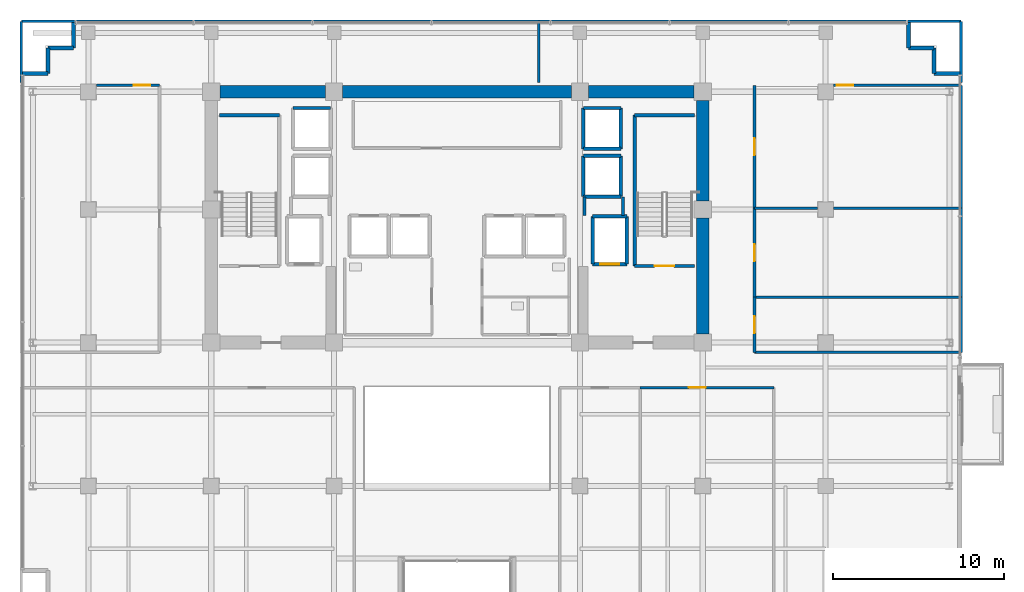
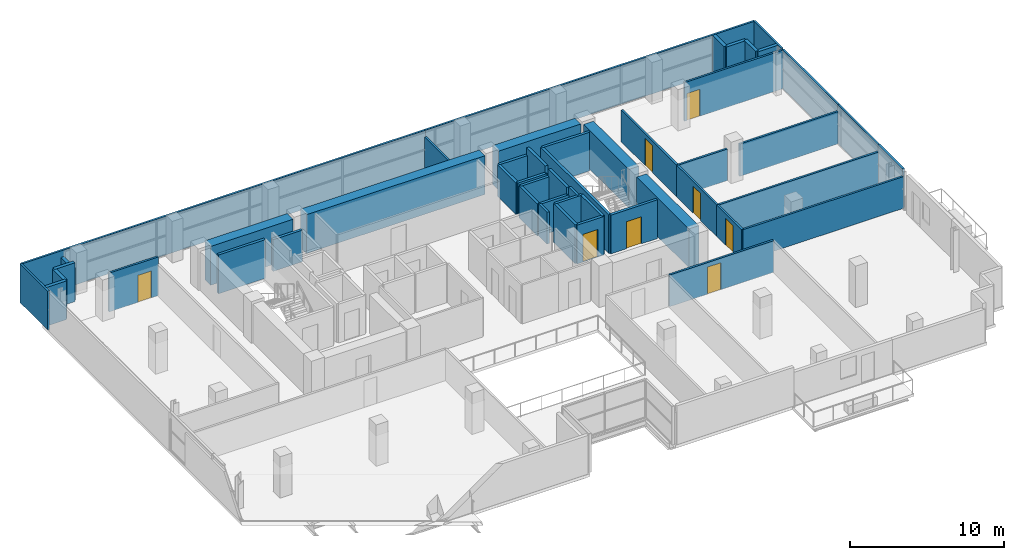
# One storey, part 19 of 25: 50 walls, 8 doors, 8 openings.
"""IFC4 building model written with IfcOpenShell, lengths in metres."""

import ifcopenshell
import ifcopenshell.guid

model = None  # the IFC model being written
_history = None  # IfcOwnerHistory: only IFC2X3 demands one
_inside = {}  # id of a spatial element -> (the spatial element, [elements in it])
_under = {}  # id of a project, library or spatial element -> (it, [spatial elements below it])
_declared = {}  # id of a project -> (the project, [libraries it declares])
_typed = {}  # id of a type object -> (the type object, [elements of that type])
_made_of = {}  # id of a material, layer set ... -> (it, [elements and type objects made of it])


def new_model(schema):
    """Start an empty IFC model of exactly this schema.

    Asked for "IFC4X3", IfcOpenShell would pick the latest addendum, in which some entities
    have other attributes; the version numbers below select the first issue.
    IFC2X3 requires an IfcOwnerHistory on every rooted entity: one is made here for all.
    """
    global model, _history
    if schema == "IFC4X3":
        model = ifcopenshell.file(schema_version=(4, 3, 0, 0))
    else:
        model = ifcopenshell.file(schema=schema)
    _inside.clear()
    _under.clear()
    _declared.clear()
    _typed.clear()
    _made_of.clear()
    _history = None
    if model.schema == "IFC2X3":
        org = make("IfcOrganization", Name="unknown")
        user = make(
            "IfcPersonAndOrganization",
            ThePerson=make("IfcPerson", FamilyName="unknown"),
            TheOrganization=org,
        )
        app = make(
            "IfcApplication",
            ApplicationDeveloper=org,
            Version="unknown",
            ApplicationFullName="unknown",
            ApplicationIdentifier="unknown",
        )
        _history = make(
            "IfcOwnerHistory",
            OwningUser=user,
            OwningApplication=app,
            ChangeAction="ADDED",
            CreationDate=0,
        )
    return model


def make(cls, **values):
    """One entity of the class cls with the attributes given. An attribute that is None is left unset."""
    return model.create_entity(
        cls, **{name: value for name, value in values.items() if value is not None}
    )


def rooted(cls, **values):
    """An entity with a GlobalId (a new one), such as an element, a storey or a relation."""
    return make(cls, GlobalId=ifcopenshell.guid.new(), OwnerHistory=_history, **values)


def si_unit(unit_type, name, prefix=None):
    """IfcSIUnit, for example si_unit("LENGTHUNIT", "METRE", prefix="MILLI")."""
    return make("IfcSIUnit", UnitType=unit_type, Prefix=prefix, Name=name)


def assignment(units):
    """IfcUnitAssignment: the units of a project."""
    return None if units is None else make("IfcUnitAssignment", Units=units)


def point(xyz):
    """IfcCartesianPoint."""
    return None if xyz is None else make("IfcCartesianPoint", Coordinates=xyz)


def direction(xyz):
    """IfcDirection."""
    return None if xyz is None else make("IfcDirection", DirectionRatios=xyz)


def frame(location, z_axis=None, x_axis=None):
    """IfcAxis2Placement3D, a coordinate frame: its origin and axes. An axis left out is left unset."""
    return make(
        "IfcAxis2Placement3D",
        Location=point(location),
        Axis=direction(z_axis),
        RefDirection=direction(x_axis),
    )


def frame_2d(location, x_axis=None):
    """IfcAxis2Placement2D, a coordinate frame in the plane: its origin and x axis."""
    return make(
        "IfcAxis2Placement2D", Location=point(location), RefDirection=direction(x_axis)
    )


def origin():
    """The frame at (0, 0, 0) with its axes left unset."""
    return frame((0.0, 0.0, 0.0))


def place(relative_to, where):
    """IfcLocalPlacement: puts the frame where relative to a parent placement (None: the world)."""
    return make(
        "IfcLocalPlacement", PlacementRelTo=relative_to, RelativePlacement=where
    )


def context(
    kind, dimensions, precision=None, world=None, true_north=None, identifier=None
):
    """IfcGeometricRepresentationContext, for example the 3D "Model" context."""
    return make(
        "IfcGeometricRepresentationContext",
        ContextIdentifier=identifier,
        ContextType=kind,
        CoordinateSpaceDimension=dimensions,
        Precision=precision,
        WorldCoordinateSystem=world,
        TrueNorth=true_north,
    )


def subcontext(parent, identifier, kind, view, scale=None):
    """IfcGeometricRepresentationSubContext, for example "Body" below "Model"."""
    return make(
        "IfcGeometricRepresentationSubContext",
        ContextIdentifier=identifier,
        ContextType=kind,
        ParentContext=parent,
        TargetScale=scale,
        TargetView=view,
    )


def project(units=None, contexts=None):
    """IfcProject with its units and contexts."""
    return rooted(
        "IfcProject",
        Name="project",
        RepresentationContexts=contexts,
        UnitsInContext=assignment(units),
    )


def spatial(cls, under=None, at=None, **own):
    """A site, building, storey or space (cls), placed at a placement, below another one or the project."""
    s = rooted(cls, ObjectPlacement=at, **own)
    if under is not None:
        _under.setdefault(under.id(), (under, []))[1].append(s)
    return s


def profile(cls, at=None, kind="AREA", **sizes):
    """A parametric profile (cls). Its sizes go by their IFC names, for example OverallWidth=200.0."""
    return make(cls, ProfileType=kind, Position=at, **sizes)


def rectangle(**sizes):
    """IfcRectangleProfileDef."""
    return profile("IfcRectangleProfileDef", **sizes)


def extrude(swept, where, along, depth):
    """IfcExtrudedAreaSolid: the profile swept, set in the frame where, extruded along a direction by depth."""
    return make(
        "IfcExtrudedAreaSolid",
        SweptArea=swept,
        Position=where,
        ExtrudedDirection=direction(along),
        Depth=depth,
    )


def shape(context_of_items, identifier, shape_type, items):
    """IfcShapeRepresentation: the items that make up one representation, for example the "Body"."""
    return make(
        "IfcShapeRepresentation",
        ContextOfItems=context_of_items,
        RepresentationIdentifier=identifier,
        RepresentationType=shape_type,
        Items=items,
    )


def source(mapping_origin, context_of_items, identifier, shape_type, items):
    """IfcRepresentationMap: a shape defined once, which mapped items show again and again."""
    return make(
        "IfcRepresentationMap",
        MappingOrigin=mapping_origin,
        MappedRepresentation=shape(context_of_items, identifier, shape_type, items),
    )


def transform(
    local_origin,
    x_axis=None,
    y_axis=None,
    z_axis=None,
    scale=None,
    scale2=None,
    scale3=None,
    uniform=True,
):
    """IfcCartesianTransformationOperator3D, or its non-uniform kind. x_axis, y_axis, z_axis: its Axis1, 2, 3."""
    if uniform:
        return make(
            "IfcCartesianTransformationOperator3D",
            Axis1=direction(x_axis),
            Axis2=direction(y_axis),
            LocalOrigin=point(local_origin),
            Scale=scale,
            Axis3=direction(z_axis),
        )
    return make(
        "IfcCartesianTransformationOperator3DnonUniform",
        Axis1=direction(x_axis),
        Axis2=direction(y_axis),
        LocalOrigin=point(local_origin),
        Scale=scale,
        Axis3=direction(z_axis),
        Scale2=scale2,
        Scale3=scale3,
    )


def mapped(mapping_source, mapping_target):
    """IfcMappedItem: shows the shape of a source again, moved by a transform."""
    return make(
        "IfcMappedItem", MappingSource=mapping_source, MappingTarget=mapping_target
    )


def material(Name=None, Category=None):
    """IfcMaterial."""
    return make("IfcMaterial", Name=Name, Category=Category)


def layer(
    of_material, thickness, ventilated=None, Name=None, Category=None, Priority=None
):
    """IfcMaterialLayer: one layer of a wall or slab, of a material (None: an air gap)."""
    return make(
        "IfcMaterialLayer",
        Material=of_material,
        LayerThickness=thickness,
        IsVentilated=ventilated,
        Name=Name,
        Category=Category,
        Priority=Priority,
    )


def layer_set(layers, Name=None):
    """IfcMaterialLayerSet."""
    return make("IfcMaterialLayerSet", MaterialLayers=layers, LayerSetName=Name)


def made_of(thing, what):
    """Note that an element or type object is made of a material, layer set ...; save() writes the relation."""
    if what is not None:
        _made_of.setdefault(what.id(), (what, []))[1].append(thing)
    return thing


def type_object(cls, material=None, **own):
    """A type object (cls), such as IfcWallType, which elements share."""
    return made_of(rooted(cls, **own), material)


def element(
    cls,
    number,
    at=None,
    inside=None,
    cuts=None,
    type_object=None,
    material=None,
    context=None,
    identifier="Body",
    shape_type=None,
    held_by="IfcProductDefinitionShape",
    body=None,
    shapes=None,
    **own,
):
    """One element of the class cls, such as IfcWall. Its Tag is "e" and its number.

    at: its placement. inside: the storey or other place that contains it. cuts: it is an
    opening in that element (IfcRelVoidsElement). A single representation is given by context,
    identifier, shape_type and body (its items); several are given by shapes. held_by: the class
    of the entity that holds the representations. save() writes the other relations.
    """
    e = rooted(cls, Tag="e%d" % number, ObjectPlacement=at, **own)
    if body is not None:
        shapes = [shape(context, identifier, shape_type, body)]
    if shapes is not None:
        e.Representation = make(held_by, Representations=shapes)
    if inside is not None:
        _inside.setdefault(inside.id(), (inside, []))[1].append(e)
    if cuts is not None:
        rooted(
            "IfcRelVoidsElement", RelatingBuildingElement=cuts, RelatedOpeningElement=e
        )
    if type_object is not None:
        _typed.setdefault(type_object.id(), (type_object, []))[1].append(e)
    return made_of(e, material)


def fill(opening, filler):
    """IfcRelFillsElement: the door or window that sits in an opening."""
    return rooted(
        "IfcRelFillsElement",
        RelatingOpeningElement=opening,
        RelatedBuildingElement=filler,
    )


def aggregate(whole, parts):
    """IfcRelAggregates: a whole, such as a stair, and the parts it consists of."""
    return rooted("IfcRelAggregates", RelatingObject=whole, RelatedObjects=parts)


def save(model, path):
    """Write the relations noted so far, then the file.

    IfcRelAggregates (storeys below a building ...), IfcRelContainedInSpatialStructure (elements
    in a storey), IfcRelDefinesByType, IfcRelAssociatesMaterial and IfcRelDeclares: one each for
    every whole, place, type object, material and project.
    """
    for whole, parts in _under.values():
        aggregate(whole, parts)
    for where, things in _inside.values():
        rooted(
            "IfcRelContainedInSpatialStructure",
            RelatedElements=things,
            RelatingStructure=where,
        )
    for kind, things in _typed.values():
        rooted("IfcRelDefinesByType", RelatedObjects=things, RelatingType=kind)
    for what, things in _made_of.values():
        rooted("IfcRelAssociatesMaterial", RelatedObjects=things, RelatingMaterial=what)
    for by, libraries in _declared.values():
        rooted("IfcRelDeclares", RelatingContext=by, RelatedDefinitions=libraries)
    model.write(path)


model = new_model("IFC4")

# Units and contexts
model_context = context("Model", 3, precision=1e-05, world=origin(), true_north=direction((0.0, 1.0)))
body_context = subcontext(model_context, "Body", "Model", "MODEL_VIEW")
ifc_project = project(units=[si_unit("LENGTHUNIT", "METRE"), si_unit("AREAUNIT", "SQUARE_METRE"), si_unit("VOLUMEUNIT", "CUBIC_METRE"), si_unit("PLANEANGLEUNIT", "RADIAN"), si_unit("MASSUNIT", "GRAM", prefix="KILO")], contexts=[model_context])

# Site, building, storey
site_placement = place(None, origin())
site = spatial("IfcSite", under=ifc_project, at=site_placement, CompositionType="ELEMENT")
building_placement = place(site_placement, origin())
building = spatial("IfcBuilding", under=site, at=building_placement, Name="Zarnakvel Exchange Tower", CompositionType="ELEMENT")
storey_placement = place(building_placement, frame((0.0, 0.0, 126.39990234375)))
storey = spatial("IfcBuildingStorey", under=building, at=storey_placement, Name="L35", CompositionType="ELEMENT", Elevation=126.39990234375)

# Walls
ifc_material_1 = material(Name="Concrete C60/75", Category="concrete")
ifc_layer_1 = layer(ifc_material_1, 0.75)
ifc_layer_set_1 = layer_set([ifc_layer_1], Name="Concrete C60/75")
wall_type_1 = type_object("IfcWallType", Name="CW-C3", PredefinedType="SHEAR", material=ifc_layer_set_1)
wall_1_placement = place(storey_placement, frame((-13.89990234375, 13.5, 0.0), z_axis=(0.0, 0.0, 1.0), x_axis=(1.0, 0.0, 0.0)))
element("IfcWall", 1, at=wall_1_placement, inside=storey, type_object=wall_type_1, Name="L35 Rear Core Shear Wall N1 (CW-C3)", PredefinedType="SHEAR", context=body_context, shape_type="SweptSolid", body=[
    extrude(rectangle(XDim=6.199951171875, YDim=0.75, at=frame_2d((3.10009765625, 0.0))), origin(), (0.0, 0.0, 1.0), 3.0751953125),
])
wall_2_placement = place(storey_placement, frame((-6.699951171875, 13.5, 0.0), z_axis=(0.0, 0.0, 1.0), x_axis=(1.0, 0.0, 0.0)))
element("IfcWall", 2, at=wall_2_placement, inside=storey, type_object=wall_type_1, Name="L35 Rear Core Shear Wall N2 (CW-C3)", PredefinedType="SHEAR", context=body_context, shape_type="SweptSolid", body=[
    extrude(rectangle(XDim=13.39990234375, YDim=0.75, at=frame_2d((6.699951171875, 0.0))), origin(), (0.0, 0.0, 1.0), 3.0751953125),
])
wall_3_placement = place(storey_placement, frame((7.699951171875, 13.5, 0.0), z_axis=(0.0, 0.0, 1.0), x_axis=(1.0, 0.0, 0.0)))
element("IfcWall", 3, at=wall_3_placement, inside=storey, type_object=wall_type_1, Name="L35 Rear Core Shear Wall N3 (CW-C3)", PredefinedType="SHEAR", context=body_context, shape_type="SweptSolid", body=[
    extrude(rectangle(XDim=6.199951171875, YDim=0.75, at=frame_2d((3.10009765625, 0.0))), origin(), (0.0, 0.0, 1.0), 3.0751953125),
])
wall_4_placement = place(storey_placement, frame((14.39990234375, -0.699951171875, 0.0), z_axis=(0.0, 0.0, 1.0), x_axis=(0.0, 1.0, 0.0)))
element("IfcWall", 4, at=wall_4_placement, inside=storey, type_object=wall_type_1, Name="L35 Rear Core Shear Wall E1 (CW-C3)", PredefinedType="SHEAR", context=body_context, shape_type="SweptSolid", body=[
    extrude(rectangle(XDim=6.800048828125, YDim=0.75, at=frame_2d((3.39990234375, 0.0))), origin(), (0.0, 0.0, 1.0), 3.0751953125),
])
wall_5_placement = place(storey_placement, frame((14.39990234375, 7.10009765625, 0.0), z_axis=(0.0, 0.0, 1.0), x_axis=(0.0, 1.0, 0.0)))
element("IfcWall", 5, at=wall_5_placement, inside=storey, type_object=wall_type_1, Name="L35 Rear Core Shear Wall E2 (CW-C3)", PredefinedType="SHEAR", context=body_context, shape_type="SweptSolid", body=[
    extrude(rectangle(XDim=5.89990234375, YDim=0.75, at=frame_2d((2.949951171875, 0.0))), origin(), (0.0, 0.0, 1.0), 3.0751953125),
])
ifc_material_2 = material(Name="Precast concrete C40/50", Category="concrete")
ifc_layer_2 = layer(ifc_material_2, 0.239990234375)
ifc_layer_set_2 = layer_set([ifc_layer_2], Name="Precast concrete C40/50")
wall_type_2 = type_object("IfcWallType", Name="EW-02", PredefinedType="SOLIDWALL", material=ifc_layer_set_2)
for number, where, z_axis, x_axis, name in (
    (6, (-23.9599609375, 14.56005859375, 0.0), (0.0, 0.0, 1.0), (-1.0, 0.0, 0.0), "L35 Exterior Precast Spandrel Wall EWC-L35-01 (EW-02)"),
    (7, (-23.9599609375, 16.06005859375, 0.0), (0.0, 0.0, 1.0), (0.0, -1.0, 0.0), "L35 Exterior Precast Spandrel Wall EWC-L35-02 (EW-02)"),
    (8, (-22.4599609375, 16.06005859375, 0.0), (0.0, 0.0, 1.0), (-1.0, 0.0, 0.0), "L35 Exterior Precast Spandrel Wall EWC-L35-03 (EW-02)"),
):
    element("IfcWall", number, at=place(storey_placement, frame(where, z_axis=z_axis, x_axis=x_axis)), inside=storey, type_object=wall_type_2, Name=name, PredefinedType="SOLIDWALL", context=body_context, shape_type="SweptSolid", body=[
        extrude(rectangle(XDim=1.5, YDim=0.239990234375, at=frame_2d((0.75, 0.0))), origin(), (0.0, 0.0, 1.0), 3.0751953125),
    ])
wall_6_placement = place(storey_placement, frame((-22.4599609375, 17.56005859375, 0.0), z_axis=(0.0, 0.0, 1.0), x_axis=(0.0, -1.0, 0.0)))
element("IfcWall", 9, at=wall_6_placement, inside=storey, type_object=wall_type_2, Name="L35 Exterior Precast Spandrel Wall EWC-L35-04 (EW-02)", PredefinedType="SOLIDWALL", context=body_context, shape_type="SweptSolid", body=[
    extrude(rectangle(XDim=1.5, YDim=0.239990234375, at=frame_2d((0.75, 0.0))), origin(), (0.0, 0.0, 1.0), 2.565185546875),
])
for number, where, z_axis, x_axis, name in (
    (10, (26.4599609375, 16.06005859375, 0.0), (0.0, 0.0, 1.0), (0.0, 1.0, 0.0), "L35 Exterior Precast Spandrel Wall EWC-L35-05 (EW-02)"),
    (11, (27.9599609375, 16.06005859375, 0.0), (0.0, 0.0, 1.0), (-1.0, 0.0, 0.0), "L35 Exterior Precast Spandrel Wall EWC-L35-06 (EW-02)"),
    (12, (27.9599609375, 14.56005859375, 0.0), (0.0, 0.0, 1.0), (0.0, 1.0, 0.0), "L35 Exterior Precast Spandrel Wall EWC-L35-07 (EW-02)"),
    (13, (29.4599609375, 14.56005859375, 0.0), (0.0, 0.0, 1.0), (-1.0, 0.0, 0.0), "L35 Exterior Precast Spandrel Wall EWC-L35-08 (EW-02)"),
):
    element("IfcWall", number, at=place(storey_placement, frame(where, z_axis=z_axis, x_axis=x_axis)), inside=storey, type_object=wall_type_2, Name=name, PredefinedType="SOLIDWALL", context=body_context, shape_type="SweptSolid", body=[
        extrude(rectangle(XDim=1.5, YDim=0.239990234375, at=frame_2d((0.75, 0.0))), origin(), (0.0, 0.0, 1.0), 3.0751953125),
    ])

# Wall, opening, door
ifc_material_3 = material(Name="Fire-Rated Gypsum Stud Partition", Category="gypsum")
ifc_layer_3 = layer(ifc_material_3, 0.14990234375)
ifc_layer_set_3 = layer_set([ifc_layer_3], Name="Fire-Rated Gypsum Stud Partition")
wall_type_3 = type_object("IfcWallType", Name="PT-01", PredefinedType="PARTITIONING", material=ifc_layer_set_3)
wall_7_placement = place(storey_placement, frame((10.72900390625, -3.830078125, 0.0), z_axis=(0.0, 0.0, 1.0), x_axis=(1.0, 0.0, 0.0)))
wall_7 = element("IfcWall", 14, at=wall_7_placement, inside=storey, type_object=wall_type_3, Name="L35 Partition Wall PWALL-L35-034 (PT-01)", PredefinedType="PARTITIONING", context=body_context, shape_type="SweptSolid", body=[
    extrude(rectangle(XDim=7.8369140625, YDim=0.14990234375, at=frame_2d((3.91845703125, 0.0))), origin(), (0.0, 0.0, 1.0), 2.51513671875),
])
opening_1_placement = place(wall_7_placement, frame((2.86083984375, 0.0, 0.0)))
opening_1 = element("IfcOpeningElement", 15, at=opening_1_placement, cuts=wall_7, Name="Opening D-L35-12", PredefinedType="OPENING", context=body_context, shape_type="SweptSolid", body=[
    extrude(rectangle(XDim=0.97998046875, YDim=2.14990234375, at=frame_2d((0.489990234375, 1.074951171875))), frame((0.0, 0.0849609375, 0.0), z_axis=(0.0, -1.0, 0.0), x_axis=(1.0, 0.0, 0.0)), (0.0, 0.0, 1.0), 0.169921875),
])
ifc_material_4 = material(Name="Timber Acoustic Veneer", Category="wood")
door_type_1 = type_object("IfcDoorType", Name="DT-05", OperationType="NOTDEFINED", PredefinedType="DOOR", material=ifc_material_4)
shared_shape_1 = source(origin(), body_context, "Body", "SweptSolid", [
    extrude(rectangle(XDim=0.97998046875, YDim=2.14990234375, at=frame_2d((0.489990234375, 1.074951171875))), frame((0.0, 0.02490234375, 0.0), z_axis=(0.0, -1.0, 0.0), x_axis=(1.0, 0.0, 0.0)), (0.0, 0.0, 1.0), 0.050048828125),
])
door_1_placement = place(opening_1_placement, origin())
door_1 = element("IfcDoor", 16, at=door_1_placement, inside=storey, type_object=door_type_1, Name="L35 Executive Office Door D-L35-12", OperationType="SINGLE_SWING_RIGHT", OverallHeight=2.14990234375, OverallWidth=0.97998046875, PredefinedType="DOOR", context=body_context, shape_type="MappedRepresentation", body=[
    mapped(shared_shape_1, transform((0.0, 0.0, 0.0), x_axis=(1.0, 0.0, 0.0), y_axis=(0.0, 1.0, 0.0), z_axis=(0.0, 0.0, 1.0), scale=1.0)),
])
fill(opening_1, door_1)

wall_8_placement = place(storey_placement, frame((-21.1298828125, 13.8798828125, 0.0), z_axis=(0.0, 0.0, 1.0), x_axis=(1.0, 0.0, 0.0)))
wall_8 = element("IfcWall", 17, at=wall_8_placement, inside=storey, type_object=wall_type_3, Name="L35 Partition Wall PWALL-L35-037 (PT-01)", PredefinedType="PARTITIONING", context=body_context, shape_type="SweptSolid", body=[
    extrude(rectangle(XDim=3.699951171875, YDim=0.14990234375, at=frame_2d((1.85009765625, 0.0))), origin(), (0.0, 0.0, 1.0), 3.0751953125),
])
opening_2_placement = place(wall_8_placement, frame((2.18994140625, 0.0, 0.0)))
opening_2 = element("IfcOpeningElement", 18, at=opening_2_placement, cuts=wall_8, Name="Opening D-L35-17", PredefinedType="OPENING", context=body_context, shape_type="SweptSolid", body=[
    extrude(rectangle(XDim=0.97998046875, YDim=2.14990234375, at=frame_2d((0.489990234375, 1.074951171875))), frame((0.0, 0.0849609375, 0.0), z_axis=(0.0, -1.0, 0.0), x_axis=(1.0, 0.0, 0.0)), (0.0, 0.0, 1.0), 0.169921875),
])
door_2_placement = place(opening_2_placement, origin())
door_2 = element("IfcDoor", 19, at=door_2_placement, inside=storey, type_object=door_type_1, Name="L35 Risk Analytics Suite Door D-L35-17", OperationType="SINGLE_SWING_LEFT", OverallHeight=2.14990234375, OverallWidth=0.97998046875, PredefinedType="DOOR", context=body_context, shape_type="MappedRepresentation", body=[
    mapped(shared_shape_1, transform((0.0, 0.0, 0.0), x_axis=(1.0, 0.0, 0.0), y_axis=(0.0, 1.0, 0.0), z_axis=(0.0, 0.0, 1.0), scale=1.0)),
])
fill(opening_2, door_2)

# Walls
for number, where, z_axis, x_axis, name in (
    (20, (29.530029296875, -1.77001953125, 0.0), (0.0, 0.0, 1.0), (-1.0, 0.0, 0.0), "L35 Partition Wall PWALL-L35-040 (PT-01)"),
    (21, (17.429931640625, 1.460205078125, 0.0), (0.0, 0.0, 1.0), (1.0, 0.0, 0.0), "L35 Partition Wall PWALL-L35-041 (PT-01)"),
):
    element("IfcWall", number, at=place(storey_placement, frame(where, z_axis=z_axis, x_axis=x_axis)), inside=storey, type_object=wall_type_3, Name=name, PredefinedType="PARTITIONING", context=body_context, shape_type="SweptSolid", body=[
        extrude(rectangle(XDim=12.10009765625, YDim=0.14990234375, at=frame_2d((6.050048828125, 0.0))), origin(), (0.0, 0.0, 1.0), 2.51513671875),
    ])

# Wall, opening, door
wall_9_placement = place(storey_placement, frame((17.429931640625, -1.77001953125, 0.0), z_axis=(0.0, 0.0, 1.0), x_axis=(0.0, 1.0, 0.0)))
wall_9 = element("IfcWall", 22, at=wall_9_placement, inside=storey, type_object=wall_type_3, Name="L35 Partition Wall PWALL-L35-042 (PT-01)", PredefinedType="PARTITIONING", context=body_context, shape_type="SweptSolid", body=[
    extrude(rectangle(XDim=3.230224609375, YDim=0.14990234375, at=frame_2d((1.615234375, 0.0))), origin(), (0.0, 0.0, 1.0), 2.51513671875),
])
opening_3_placement = place(wall_9_placement, frame((1.125, 0.0, 0.0)))
opening_3 = element("IfcOpeningElement", 23, at=opening_3_placement, cuts=wall_9, Name="Opening D-L35-14", PredefinedType="OPENING", context=body_context, shape_type="SweptSolid", body=[
    extrude(rectangle(XDim=0.97998046875, YDim=2.14990234375, at=frame_2d((0.489990234375, 1.074951171875))), frame((0.0, 0.0849609375, 0.0), z_axis=(0.0, -1.0, 0.0), x_axis=(1.0, 0.0, 0.0)), (0.0, 0.0, 1.0), 0.169921875),
])
door_3_placement = place(opening_3_placement, origin())
door_3 = element("IfcDoor", 24, at=door_3_placement, inside=storey, type_object=door_type_1, Name="L35 Staff Pantry Door D-L35-14", OperationType="SINGLE_SWING_RIGHT", OverallHeight=2.14990234375, OverallWidth=0.97998046875, PredefinedType="DOOR", context=body_context, shape_type="MappedRepresentation", body=[
    mapped(shared_shape_1, transform((0.0, 0.0, 0.0), x_axis=(1.0, 0.0, 0.0), y_axis=(0.0, 1.0, 0.0), z_axis=(0.0, 0.0, 1.0), scale=1.0)),
])
fill(opening_3, door_3)

# Walls
wall_10_placement = place(storey_placement, frame((29.530029296875, 1.460205078125, 0.0), z_axis=(0.0, 0.0, 1.0), x_axis=(0.0, -1.0, 0.0)))
element("IfcWall", 25, at=wall_10_placement, inside=storey, type_object=wall_type_3, Name="L35 Partition Wall PWALL-L35-043 (PT-01)", PredefinedType="PARTITIONING", context=body_context, shape_type="SweptSolid", body=[
    extrude(rectangle(XDim=3.230224609375, YDim=0.14990234375, at=frame_2d((1.615234375, 0.0))), origin(), (0.0, 0.0, 1.0), 3.0751953125),
])
wall_11_placement = place(storey_placement, frame((22.070068359375, 6.6767578125, 0.0), z_axis=(0.0, 0.0, 1.0), x_axis=(1.0, 0.0, 0.0)))
element("IfcWall", 26, at=wall_11_placement, inside=storey, type_object=wall_type_3, Name="L35 Partition Wall PWALL-L35-044 (PT-01)", PredefinedType="PARTITIONING", context=body_context, shape_type="SweptSolid", body=[
    extrude(rectangle(XDim=7.4599609375, YDim=0.14990234375, at=frame_2d((3.72998046875, 0.0))), origin(), (0.0, 0.0, 1.0), 2.565185546875),
])

# Wall, opening, door
wall_12_placement = place(storey_placement, frame((17.429931640625, 1.460205078125, 0.0), z_axis=(0.0, 0.0, 1.0), x_axis=(0.0, 1.0, 0.0)))
wall_12 = element("IfcWall", 27, at=wall_12_placement, inside=storey, type_object=wall_type_3, Name="L35 Partition Wall PWALL-L35-045 (PT-01)", PredefinedType="PARTITIONING", context=body_context, shape_type="SweptSolid", body=[
    extrude(rectangle(XDim=5.216552734375, YDim=0.14990234375, at=frame_2d((2.6083984375, 0.0))), origin(), (0.0, 0.0, 1.0), 2.51513671875),
])
opening_4_placement = place(wall_12_placement, frame((2.117919921875, 0.0, 0.0)))
opening_4 = element("IfcOpeningElement", 28, at=opening_4_placement, cuts=wall_12, Name="Opening D-L35-15", PredefinedType="OPENING", context=body_context, shape_type="SweptSolid", body=[
    extrude(rectangle(XDim=0.97998046875, YDim=2.14990234375, at=frame_2d((0.489990234375, 1.074951171875))), frame((0.0, 0.0849609375, 0.0), z_axis=(0.0, -1.0, 0.0), x_axis=(1.0, 0.0, 0.0)), (0.0, 0.0, 1.0), 0.169921875),
])
door_4_placement = place(opening_4_placement, origin())
door_4 = element("IfcDoor", 29, at=door_4_placement, inside=storey, type_object=door_type_1, Name="L35 Risk Analytics Suite Door D-L35-15", OperationType="SINGLE_SWING_LEFT", OverallHeight=2.14990234375, OverallWidth=0.97998046875, PredefinedType="DOOR", context=body_context, shape_type="MappedRepresentation", body=[
    mapped(shared_shape_1, transform((0.0, 0.0, 0.0), x_axis=(1.0, 0.0, 0.0), y_axis=(0.0, 1.0, 0.0), z_axis=(0.0, 0.0, 1.0), scale=1.0)),
])
fill(opening_4, door_4)

# Walls
wall_13_placement = place(storey_placement, frame((29.530029296875, 6.6767578125, 0.0), z_axis=(0.0, 0.0, 1.0), x_axis=(0.0, -1.0, 0.0)))
element("IfcWall", 30, at=wall_13_placement, inside=storey, type_object=wall_type_3, Name="L35 Partition Wall PWALL-L35-046 (PT-01)", PredefinedType="PARTITIONING", context=body_context, shape_type="SweptSolid", body=[
    extrude(rectangle(XDim=5.216552734375, YDim=0.14990234375, at=frame_2d((2.6083984375, 0.0))), origin(), (0.0, 0.0, 1.0), 3.0751953125),
])
wall_14_placement = place(storey_placement, frame((21.1298828125, 6.6767578125, 0.0), z_axis=(0.0, 0.0, 1.0), x_axis=(-1.0, 0.0, 0.0)))
element("IfcWall", 31, at=wall_14_placement, inside=storey, type_object=wall_type_3, Name="L35 Partition Wall PWALL-L35-047 (PT-01)", PredefinedType="PARTITIONING", context=body_context, shape_type="SweptSolid", body=[
    extrude(rectangle(XDim=3.699951171875, YDim=0.14990234375, at=frame_2d((1.85009765625, 0.0))), origin(), (0.0, 0.0, 1.0), 2.51513671875),
])

# Wall, opening, door
wall_15_placement = place(storey_placement, frame((22.070068359375, 13.8798828125, 0.0), z_axis=(0.0, 0.0, 1.0), x_axis=(1.0, 0.0, 0.0)))
wall_15 = element("IfcWall", 32, at=wall_15_placement, inside=storey, type_object=wall_type_3, Name="L35 Partition Wall PWALL-L35-048 (PT-01)", PredefinedType="PARTITIONING", context=body_context, shape_type="SweptSolid", body=[
    extrude(rectangle(XDim=7.4599609375, YDim=0.14990234375, at=frame_2d((3.72998046875, 0.0))), origin(), (0.0, 0.0, 1.0), 3.0751953125),
])
opening_5_placement = place(wall_15_placement, frame((0.179931640625, 0.0, 0.0)))
opening_5 = element("IfcOpeningElement", 33, at=opening_5_placement, cuts=wall_15, Name="Opening D-L35-18", PredefinedType="OPENING", context=body_context, shape_type="SweptSolid", body=[
    extrude(rectangle(XDim=0.97998046875, YDim=2.14990234375, at=frame_2d((0.489990234375, 1.074951171875))), frame((0.0, 0.0849609375, 0.0), z_axis=(0.0, -1.0, 0.0), x_axis=(1.0, 0.0, 0.0)), (0.0, 0.0, 1.0), 0.169921875),
])
door_5_placement = place(opening_5_placement, origin())
door_5 = element("IfcDoor", 34, at=door_5_placement, inside=storey, type_object=door_type_1, Name="L35 Members Lounge Door D-L35-18", OperationType="SINGLE_SWING_RIGHT", OverallHeight=2.14990234375, OverallWidth=0.97998046875, PredefinedType="DOOR", context=body_context, shape_type="MappedRepresentation", body=[
    mapped(shared_shape_1, transform((0.0, 0.0, 0.0), x_axis=(1.0, 0.0, 0.0), y_axis=(0.0, 1.0, 0.0), z_axis=(0.0, 0.0, 1.0), scale=1.0)),
])
fill(opening_5, door_5)

wall_16_placement = place(storey_placement, frame((17.429931640625, 6.6767578125, 0.0), z_axis=(0.0, 0.0, 1.0), x_axis=(0.0, 1.0, 0.0)))
wall_16 = element("IfcWall", 35, at=wall_16_placement, inside=storey, type_object=wall_type_3, Name="L35 Partition Wall PWALL-L35-049 (PT-01)", PredefinedType="PARTITIONING", context=body_context, shape_type="SweptSolid", body=[
    extrude(rectangle(XDim=7.203125, YDim=0.14990234375, at=frame_2d((3.6015625, 0.0))), origin(), (0.0, 0.0, 1.0), 2.51513671875),
])
opening_6_placement = place(wall_16_placement, frame((3.111083984375, 0.0, 0.0)))
opening_6 = element("IfcOpeningElement", 36, at=opening_6_placement, cuts=wall_16, Name="Opening D-L35-16", PredefinedType="OPENING", context=body_context, shape_type="SweptSolid", body=[
    extrude(rectangle(XDim=0.97998046875, YDim=2.14990234375, at=frame_2d((0.489990234375, 1.074951171875))), frame((0.0, 0.0849609375, 0.0), z_axis=(0.0, -1.0, 0.0), x_axis=(1.0, 0.0, 0.0)), (0.0, 0.0, 1.0), 0.169921875),
])
door_6_placement = place(opening_6_placement, origin())
door_6 = element("IfcDoor", 37, at=door_6_placement, inside=storey, type_object=door_type_1, Name="L35 Members Lounge Door D-L35-16", OperationType="SINGLE_SWING_RIGHT", OverallHeight=2.14990234375, OverallWidth=0.97998046875, PredefinedType="DOOR", context=body_context, shape_type="MappedRepresentation", body=[
    mapped(shared_shape_1, transform((0.0, 0.0, 0.0), x_axis=(1.0, 0.0, 0.0), y_axis=(0.0, 1.0, 0.0), z_axis=(0.0, 0.0, 1.0), scale=1.0)),
])
fill(opening_6, door_6)

# Walls
wall_17_placement = place(storey_placement, frame((29.530029296875, 13.8798828125, 0.0), z_axis=(0.0, 0.0, 1.0), x_axis=(0.0, -1.0, 0.0)))
element("IfcWall", 38, at=wall_17_placement, inside=storey, type_object=wall_type_3, Name="L35 Partition Wall PWALL-L35-050 (PT-01)", PredefinedType="PARTITIONING", context=body_context, shape_type="SweptSolid", body=[
    extrude(rectangle(XDim=7.203125, YDim=0.14990234375, at=frame_2d((3.6015625, 0.0))), origin(), (0.0, 0.0, 1.0), 3.0751953125),
])
wall_18_placement = place(storey_placement, frame((-25.530029296875, 17.6298828125, 0.0), z_axis=(0.0, 0.0, 1.0), x_axis=(1.0, 0.0, 0.0)))
element("IfcWall", 39, at=wall_18_placement, inside=storey, type_object=wall_type_3, Name="L35 Partition Wall PWALL-L35-051 (PT-01)", PredefinedType="PARTITIONING", context=body_context, shape_type="SweptSolid", body=[
    extrude(rectangle(XDim=30.330078125, YDim=0.14990234375, at=frame_2d((15.1650390625, 0.0))), origin(), (0.0, 0.0, 1.0), 3.0751953125),
])
wall_19_placement = place(storey_placement, frame((-25.530029296875, 14.030029296875, 0.0), z_axis=(0.0, 0.0, 1.0), x_axis=(0.0, 1.0, 0.0)))
element("IfcWall", 40, at=wall_19_placement, inside=storey, type_object=wall_type_3, Name="L35 Partition Wall PWALL-L35-052 (PT-01)", PredefinedType="PARTITIONING", context=body_context, shape_type="SweptSolid", body=[
    extrude(rectangle(XDim=3.599853515625, YDim=0.14990234375, at=frame_2d((1.7998046875, 0.0))), origin(), (0.0, 0.0, 1.0), 3.0751953125),
])
wall_20_placement = place(storey_placement, frame((4.800048828125, 17.6298828125, 0.0), z_axis=(0.0, 0.0, 1.0), x_axis=(0.0, -1.0, 0.0)))
element("IfcWall", 41, at=wall_20_placement, inside=storey, type_object=wall_type_3, Name="L35 Partition Wall PWALL-L35-053 (PT-01)", PredefinedType="PARTITIONING", context=body_context, shape_type="SweptSolid", body=[
    extrude(rectangle(XDim=3.599853515625, YDim=0.14990234375, at=frame_2d((1.7998046875, 0.0))), origin(), (0.0, 0.0, 1.0), 2.565185546875),
])
wall_21_placement = place(storey_placement, frame((4.800048828125, 17.6298828125, 0.0), z_axis=(0.0, 0.0, 1.0), x_axis=(1.0, 0.0, 0.0)))
element("IfcWall", 42, at=wall_21_placement, inside=storey, type_object=wall_type_3, Name="L35 Partition Wall PWALL-L35-054 (PT-01)", PredefinedType="PARTITIONING", context=body_context, shape_type="SweptSolid", body=[
    extrude(rectangle(XDim=24.72998046875, YDim=0.14990234375, at=frame_2d((12.364990234375, 0.0))), origin(), (0.0, 0.0, 1.0), 3.0751953125),
])
wall_22_placement = place(storey_placement, frame((29.530029296875, 17.6298828125, 0.0), z_axis=(0.0, 0.0, 1.0), x_axis=(0.0, -1.0, 0.0)))
element("IfcWall", 43, at=wall_22_placement, inside=storey, type_object=wall_type_3, Name="L35 Partition Wall PWALL-L35-055 (PT-01)", PredefinedType="PARTITIONING", context=body_context, shape_type="SweptSolid", body=[
    extrude(rectangle(XDim=3.599853515625, YDim=0.14990234375, at=frame_2d((1.7998046875, 0.0))), origin(), (0.0, 0.0, 1.0), 3.0751953125),
])
ifc_layer_4 = layer(ifc_material_3, 0.179931640625)
ifc_layer_set_4 = layer_set([ifc_layer_4], Name="Fire-Rated Gypsum Stud Partition")
wall_type_4 = type_object("IfcWallType", Name="PT-02", PredefinedType="PARTITIONING", material=ifc_layer_set_4)
wall_23_placement = place(storey_placement, frame((7.469970703125, 6.239990234375, 0.0), z_axis=(0.0, 0.0, 1.0), x_axis=(0.0, 1.0, 0.0)))
element("IfcWall", 44, at=wall_23_placement, inside=storey, type_object=wall_type_4, Name="L35 Partition Wall PWALL-L35-009 (PT-02)", PredefinedType="PARTITIONING", context=body_context, shape_type="SweptSolid", body=[
    extrude(rectangle(XDim=1.090087890625, YDim=0.179931640625, at=frame_2d((0.544921875, 0.0))), origin(), (0.0, 0.0, 1.0), 2.51513671875),
])
wall_24_placement = place(storey_placement, frame((9.72998046875, 7.330078125, 0.0), z_axis=(0.0, 0.0, 1.0), x_axis=(0.0, -1.0, 0.0)))
element("IfcWall", 45, at=wall_24_placement, inside=storey, type_object=wall_type_4, Name="L35 Partition Wall PWALL-L35-010 (PT-02)", PredefinedType="PARTITIONING", context=body_context, shape_type="SweptSolid", body=[
    extrude(rectangle(XDim=1.090087890625, YDim=0.179931640625, at=frame_2d((0.544921875, 0.0))), origin(), (0.0, 0.0, 1.0), 3.0751953125),
])

# Wall, opening, door
ifc_material_5 = material(Name="Concrete C40/50", Category="concrete")
ifc_layer_5 = layer(ifc_material_5, 0.199951171875)
ifc_layer_set_5 = layer_set([ifc_layer_5], Name="Concrete C40/50")
wall_type_5 = type_object("IfcWallType", Name="SW-01", PredefinedType="SOLIDWALL", material=ifc_layer_set_5)
wall_25_placement = place(storey_placement, frame((9.949951171875, 3.39990234375, 0.0), z_axis=(0.0, 0.0, 1.0), x_axis=(-1.0, 0.0, 0.0)))
wall_25 = element("IfcWall", 46, at=wall_25_placement, inside=storey, type_object=wall_type_5, Name="L35 FL-02 Hoistway Wall South", PredefinedType="SOLIDWALL", context=body_context, shape_type="SweptSolid", body=[
    extrude(rectangle(XDim=2.0, YDim=0.199951171875, at=frame_2d((1.0, 0.0))), origin(), (0.0, 0.0, 1.0), 3.0751953125),
])
opening_7_placement = place(wall_25_placement, frame((0.449951171875, 0.0, 0.0)))
opening_7 = element("IfcOpeningElement", 47, at=opening_7_placement, cuts=wall_25, Name="Opening LD-FL-02-L35", PredefinedType="OPENING", context=body_context, shape_type="SweptSolid", body=[
    extrude(rectangle(XDim=1.10009765625, YDim=2.199951171875, at=frame_2d((0.550048828125, 1.10009765625))), frame((0.0, 0.10986328125, 0.0), z_axis=(0.0, -1.0, 0.0), x_axis=(1.0, 0.0, 0.0)), (0.0, 0.0, 1.0), 0.219970703125),
])
ifc_material_6 = material(Name="Brushed Stainless Steel", Category="steel")
door_type_2 = type_object("IfcDoorType", Name="LDT-01", OperationType="NOTDEFINED", PredefinedType="DOOR", material=ifc_material_6)
shared_shape_2 = source(origin(), body_context, "Body", "SweptSolid", [
    extrude(rectangle(XDim=1.10009765625, YDim=2.199951171875, at=frame_2d((0.550048828125, 1.10009765625))), frame((0.0, 0.02490234375, 0.0), z_axis=(0.0, -1.0, 0.0), x_axis=(1.0, 0.0, 0.0)), (0.0, 0.0, 1.0), 0.050048828125),
])
door_7_placement = place(opening_7_placement, origin())
door_7 = element("IfcDoor", 48, at=door_7_placement, inside=storey, type_object=door_type_2, Name="L35 FL-02 Lift Landing Door LD-FL-02-L35", OperationType="DOUBLE_DOOR_SLIDING", OverallHeight=2.199951171875, OverallWidth=1.10009765625, PredefinedType="DOOR", context=body_context, shape_type="MappedRepresentation", body=[
    mapped(shared_shape_2, transform((0.0, 0.0, 0.0), x_axis=(1.0, 0.0, 0.0), y_axis=(0.0, 1.0, 0.0), z_axis=(0.0, 0.0, 1.0), scale=1.0)),
])
fill(opening_7, door_7)

# Walls
wall_26_placement = place(storey_placement, frame((7.949951171875, 6.199951171875, 0.0), z_axis=(0.0, 0.0, 1.0), x_axis=(1.0, 0.0, 0.0)))
element("IfcWall", 49, at=wall_26_placement, inside=storey, type_object=wall_type_5, Name="L35 FL-02 Hoistway Wall North", PredefinedType="SOLIDWALL", context=body_context, shape_type="SweptSolid", body=[
    extrude(rectangle(XDim=2.0, YDim=0.199951171875, at=frame_2d((1.0, 0.0))), origin(), (0.0, 0.0, 1.0), 3.0751953125),
])
for number, where, z_axis, x_axis, name in (
    (50, (7.949951171875, 3.39990234375, 0.0), (0.0, 0.0, 1.0), (0.0, 1.0, 0.0), "L35 FL-02 Hoistway Wall West"),
    (51, (9.949951171875, 6.199951171875, 0.0), (0.0, 0.0, 1.0), (0.0, -1.0, 0.0), "L35 FL-02 Hoistway Wall East"),
):
    element("IfcWall", number, at=place(storey_placement, frame(where, z_axis=z_axis, x_axis=x_axis)), inside=storey, type_object=wall_type_5, Name=name, PredefinedType="SOLIDWALL", context=body_context, shape_type="SweptSolid", body=[
        extrude(rectangle(XDim=2.800048828125, YDim=0.199951171875, at=frame_2d((1.39990234375, 0.0))), origin(), (0.0, 0.0, 1.0), 3.0751953125),
    ])
for number, where, z_axis, x_axis, name in (
    (52, (-9.60009765625, 12.550048828125, 0.0), (0.0, 0.0, 1.0), (1.0, 0.0, 0.0), "L35 PL-10 Hoistway Wall North"),
    (53, (9.60009765625, 7.35009765625, 0.0), (0.0, 0.0, 1.0), (-1.0, 0.0, 0.0), "L35 PL-11 Hoistway Wall South"),
    (54, (7.39990234375, 9.75, 0.0), (0.0, 0.0, 1.0), (1.0, 0.0, 0.0), "L35 PL-11 Hoistway Wall North"),
):
    element("IfcWall", number, at=place(storey_placement, frame(where, z_axis=z_axis, x_axis=x_axis)), inside=storey, type_object=wall_type_5, Name=name, PredefinedType="SOLIDWALL", context=body_context, shape_type="SweptSolid", body=[
        extrude(rectangle(XDim=2.2001953125, YDim=0.199951171875, at=frame_2d((1.10009765625, 0.0))), origin(), (0.0, 0.0, 1.0), 2.51513671875),
    ])
wall_27_placement = place(storey_placement, frame((7.39990234375, 7.35009765625, 0.0), z_axis=(0.0, 0.0, 1.0), x_axis=(0.0, 1.0, 0.0)))
element("IfcWall", 55, at=wall_27_placement, inside=storey, type_object=wall_type_5, Name="L35 PL-11 Hoistway Wall West", PredefinedType="SOLIDWALL", context=body_context, shape_type="SweptSolid", body=[
    extrude(rectangle(XDim=2.39990234375, YDim=0.199951171875, at=frame_2d((1.199951171875, 0.0))), origin(), (0.0, 0.0, 1.0), 2.51513671875),
])
wall_28_placement = place(storey_placement, frame((9.60009765625, 9.75, 0.0), z_axis=(0.0, 0.0, 1.0), x_axis=(0.0, -1.0, 0.0)))
element("IfcWall", 56, at=wall_28_placement, inside=storey, type_object=wall_type_5, Name="L35 PL-11 Hoistway Wall East", PredefinedType="SOLIDWALL", context=body_context, shape_type="SweptSolid", body=[
    extrude(rectangle(XDim=2.39990234375, YDim=0.199951171875, at=frame_2d((1.199951171875, 0.0))), origin(), (0.0, 0.0, 1.0), 3.0751953125),
])
for number, where, z_axis, x_axis, name in (
    (57, (9.60009765625, 10.14990234375, 0.0), (0.0, 0.0, 1.0), (-1.0, 0.0, 0.0), "L35 PL-12 Hoistway Wall South"),
    (58, (7.39990234375, 12.550048828125, 0.0), (0.0, 0.0, 1.0), (1.0, 0.0, 0.0), "L35 PL-12 Hoistway Wall North"),
):
    element("IfcWall", number, at=place(storey_placement, frame(where, z_axis=z_axis, x_axis=x_axis)), inside=storey, type_object=wall_type_5, Name=name, PredefinedType="SOLIDWALL", context=body_context, shape_type="SweptSolid", body=[
        extrude(rectangle(XDim=2.2001953125, YDim=0.199951171875, at=frame_2d((1.10009765625, 0.0))), origin(), (0.0, 0.0, 1.0), 2.51513671875),
    ])
wall_29_placement = place(storey_placement, frame((7.39990234375, 10.14990234375, 0.0), z_axis=(0.0, 0.0, 1.0), x_axis=(0.0, 1.0, 0.0)))
element("IfcWall", 59, at=wall_29_placement, inside=storey, type_object=wall_type_5, Name="L35 PL-12 Hoistway Wall West", PredefinedType="SOLIDWALL", context=body_context, shape_type="SweptSolid", body=[
    extrude(rectangle(XDim=2.400146484375, YDim=0.199951171875, at=frame_2d((1.2001953125, 0.0))), origin(), (0.0, 0.0, 1.0), 2.51513671875),
])
wall_30_placement = place(storey_placement, frame((9.60009765625, 12.550048828125, 0.0), z_axis=(0.0, 0.0, 1.0), x_axis=(0.0, -1.0, 0.0)))
element("IfcWall", 60, at=wall_30_placement, inside=storey, type_object=wall_type_5, Name="L35 PL-12 Hoistway Wall East", PredefinedType="SOLIDWALL", context=body_context, shape_type="SweptSolid", body=[
    extrude(rectangle(XDim=2.400146484375, YDim=0.199951171875, at=frame_2d((1.2001953125, 0.0))), origin(), (0.0, 0.0, 1.0), 3.0751953125),
])
ifc_layer_6 = layer(ifc_material_5, 0.199951171875)
ifc_layer_set_6 = layer_set([ifc_layer_6], Name="Concrete C40/50")
wall_type_6 = type_object("IfcWallType", Name="SW-02", PredefinedType="SOLIDWALL", material=ifc_layer_set_6)
wall_31_placement = place(storey_placement, frame((-13.929931640625, 12.1298828125, 0.0), z_axis=(0.0, 0.0, 1.0), x_axis=(1.0, 0.0, 0.0)))
element("IfcWall", 61, at=wall_31_placement, inside=storey, type_object=wall_type_6, Name="L35 Stairwell Core Wall PWALL-L35-002 (SW-02)", PredefinedType="SOLIDWALL", context=body_context, shape_type="SweptSolid", body=[
    extrude(rectangle(XDim=3.52001953125, YDim=0.199951171875, at=frame_2d((1.760009765625, 0.0))), origin(), (0.0, 0.0, 1.0), 3.0751953125),
])

# Wall, opening, door
wall_32_placement = place(storey_placement, frame((13.929931640625, 3.2900390625, 0.0), z_axis=(0.0, 0.0, 1.0), x_axis=(-1.0, 0.0, 0.0)))
wall_32 = element("IfcWall", 62, at=wall_32_placement, inside=storey, type_object=wall_type_6, Name="L35 Stairwell Core Wall PWALL-L35-004 (SW-02)", PredefinedType="SOLIDWALL", context=body_context, shape_type="SweptSolid", body=[
    extrude(rectangle(XDim=3.52001953125, YDim=0.199951171875, at=frame_2d((1.760009765625, 0.0))), origin(), (0.0, 0.0, 1.0), 3.0751953125),
])
opening_8_placement = place(wall_32_placement, frame((1.205078125, 0.0, 0.0)))
opening_8 = element("IfcOpeningElement", 63, at=opening_8_placement, cuts=wall_32, Name="Opening D-L35-02", PredefinedType="OPENING", context=body_context, shape_type="SweptSolid", body=[
    extrude(rectangle(XDim=1.14990234375, YDim=2.14990234375, at=frame_2d((0.574951171875, 1.074951171875))), frame((0.0, 0.10986328125, 0.0), z_axis=(0.0, -1.0, 0.0), x_axis=(1.0, 0.0, 0.0)), (0.0, 0.0, 1.0), 0.219970703125),
])
ifc_material_7 = material(Name="Painted Galvanised Steel S355", Category="steel")
door_type_3 = type_object("IfcDoorType", Name="DT-04", OperationType="NOTDEFINED", PredefinedType="DOOR", material=ifc_material_7)
shared_shape_3 = source(origin(), body_context, "Body", "SweptSolid", [
    extrude(rectangle(XDim=1.14990234375, YDim=2.14990234375, at=frame_2d((0.574951171875, 1.074951171875))), frame((0.0, 0.02490234375, 0.0), z_axis=(0.0, -1.0, 0.0), x_axis=(1.0, 0.0, 0.0)), (0.0, 0.0, 1.0), 0.050048828125),
])
door_8_placement = place(opening_8_placement, origin())
door_8 = element("IfcDoor", 64, at=door_8_placement, inside=storey, type_object=door_type_3, Name="L35 Stairwell ST-02 Door D-L35-02", OperationType="SINGLE_SWING_RIGHT", OverallHeight=2.14990234375, OverallWidth=1.14990234375, PredefinedType="DOOR", context=body_context, shape_type="MappedRepresentation", body=[
    mapped(shared_shape_3, transform((0.0, 0.0, 0.0), x_axis=(1.0, 0.0, 0.0), y_axis=(0.0, 1.0, 0.0), z_axis=(0.0, 0.0, 1.0), scale=1.0)),
])
fill(opening_8, door_8)

# Walls
wall_33_placement = place(storey_placement, frame((10.409912109375, 12.1298828125, 0.0), z_axis=(0.0, 0.0, 1.0), x_axis=(1.0, 0.0, 0.0)))
element("IfcWall", 65, at=wall_33_placement, inside=storey, type_object=wall_type_6, Name="L35 Stairwell Core Wall PWALL-L35-005 (SW-02)", PredefinedType="SOLIDWALL", context=body_context, shape_type="SweptSolid", body=[
    extrude(rectangle(XDim=3.52001953125, YDim=0.199951171875, at=frame_2d((1.760009765625, 0.0))), origin(), (0.0, 0.0, 1.0), 3.0751953125),
])
wall_34_placement = place(storey_placement, frame((10.409912109375, 3.2900390625, 0.0), z_axis=(0.0, 0.0, 1.0), x_axis=(0.0, 1.0, 0.0)))
element("IfcWall", 66, at=wall_34_placement, inside=storey, type_object=wall_type_6, Name="L35 Stairwell Core Wall PWALL-L35-006 (SW-02)", PredefinedType="SOLIDWALL", context=body_context, shape_type="SweptSolid", body=[
    extrude(rectangle(XDim=8.83984375, YDim=0.199951171875, at=frame_2d((4.419921875, 0.0))), origin(), (0.0, 0.0, 1.0), 3.0751953125),
])

save(model, "model.ifc")
